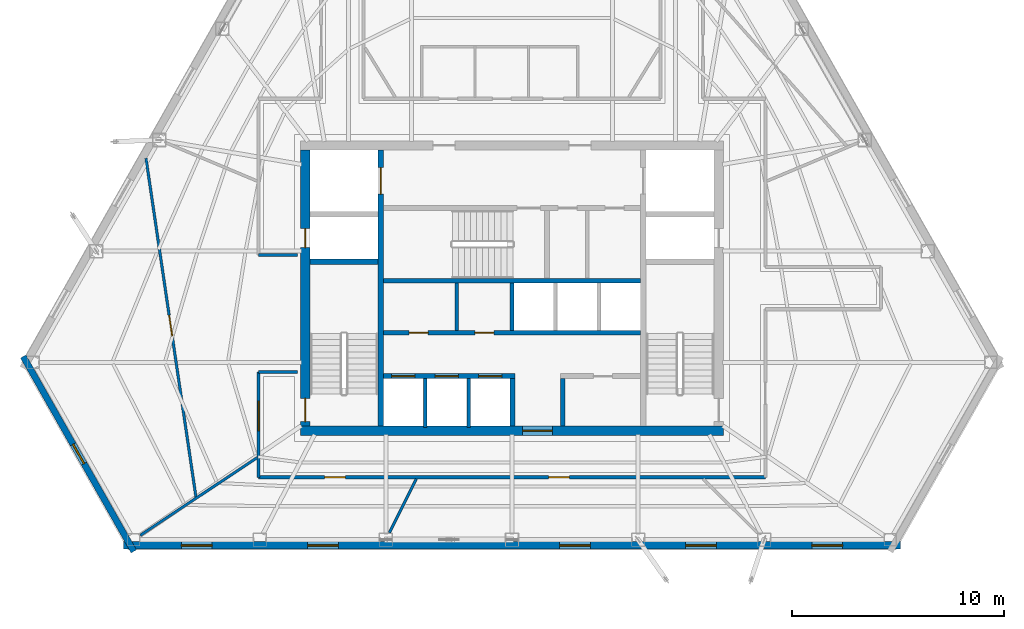
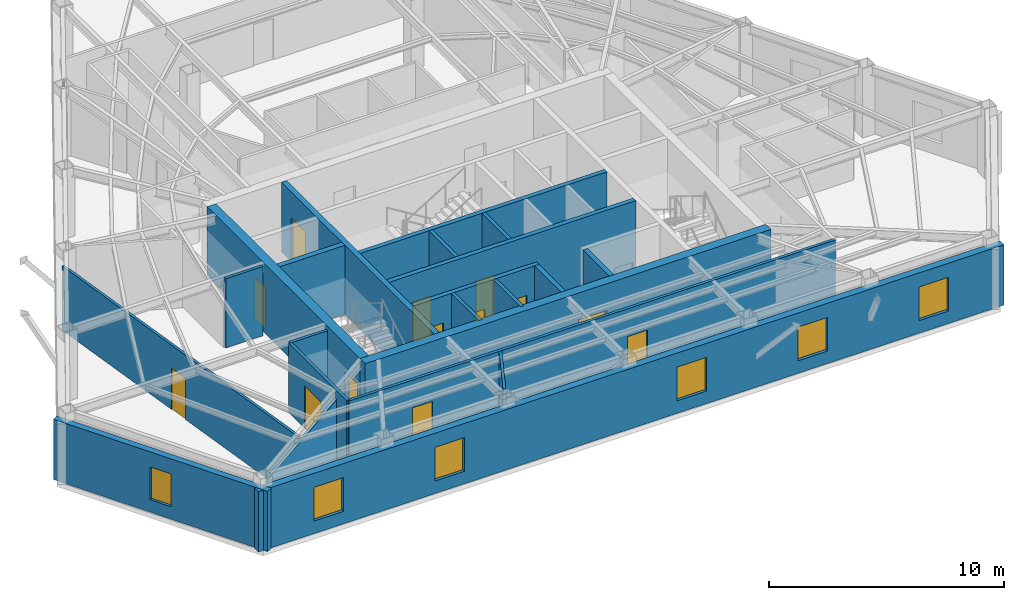
# One storey, part 7 of 11: 22 walls, 13 doors, 6 windows, 19 openings.
"""IFC4 building model written with IfcOpenShell, lengths in metres."""

from ifc_helpers import new_model, si_unit, direction, frame, frame_2d, origin, place, context, subcontext, project, spatial, rectangle, extrude, material, layer, layer_set, type_object, element, fill, save


model = new_model("IFC4")

# Units and contexts
model_context = context("Model", 3, precision=1e-05, world=origin(), true_north=direction((0.0, 1.0)))
body_context = subcontext(model_context, "Body", "Model", "MODEL_VIEW")
ifc_project = project(units=[si_unit("LENGTHUNIT", "METRE"), si_unit("AREAUNIT", "SQUARE_METRE"), si_unit("VOLUMEUNIT", "CUBIC_METRE"), si_unit("PLANEANGLEUNIT", "RADIAN"), si_unit("MASSUNIT", "GRAM", prefix="KILO")], contexts=[model_context])

# Site, building, storey
site_placement = place(None, origin())
site = spatial("IfcSite", under=ifc_project, at=site_placement, CompositionType="ELEMENT")
building_placement = place(site_placement, origin())
building = spatial("IfcBuilding", under=site, at=building_placement, Name="Kavelnor Concourse Tower", CompositionType="ELEMENT")
storey_placement = place(building_placement, frame((0.0, 0.0, 165.0)))
storey = spatial("IfcBuildingStorey", under=building, at=storey_placement, Name="L41", CompositionType="ELEMENT", Elevation=165.0)

# Wall, opening, door
ifc_material_1 = material(Name="Concrete C50/60", Category="concrete")
ifc_layer_1 = layer(ifc_material_1, 0.43994140625, Name="Concrete C50/60")
ifc_layer_set_1 = layer_set([ifc_layer_1], Name="Concrete C50/60")
wall_type_1 = type_object("IfcWallType", Name="WL-CORE-Z3-440", PredefinedType="SOLIDWALL", material=ifc_layer_set_1)
wall_1_placement = place(storey_placement, frame((28.0400390625, 9.3798828125, 0.0), z_axis=(0.0, 0.0, 1.0), x_axis=(1.0, 0.0, 0.0)))
wall_1 = element("IfcWall", 1, at=wall_1_placement, inside=storey, type_object=wall_type_1, Name="L41 Central Core South Shear Wall", PredefinedType="SOLIDWALL", context=body_context, shape_type="SweptSolid", body=[
    extrude(rectangle(XDim=19.919921875, YDim=0.43994140625, at=frame_2d((9.9599609375, 0.0))), origin(), (0.0, 0.0, 1.0), 3.60009765625),
])
opening_1_placement = place(wall_1_placement, frame((10.4599609375, 0.0, 0.0)))
opening_1 = element("IfcOpeningElement", 2, at=opening_1_placement, cuts=wall_1, Name="Opening SD-140", PredefinedType="OPENING", context=body_context, shape_type="SweptSolid", body=[
    extrude(rectangle(XDim=1.39990234375, YDim=2.199951171875, at=frame_2d((0.699951171875, 1.10009765625))), frame((0.0, 0.22998046875, 0.0), z_axis=(0.0, -1.0, 0.0), x_axis=(1.0, 0.0, 0.0)), (0.0, 0.0, 1.0), 0.4599609375),
])
ifc_material_2 = material(Name="Solid-core hardwood timber", Category="wood")
door_type_1 = type_object("IfcDoorType", Name="DR-SUITE-ENTRY-1400", OperationType="NOTDEFINED", PredefinedType="DOOR", material=ifc_material_2)
door_1_placement = place(opening_1_placement, origin())
door_1 = element("IfcDoor", 3, at=door_1_placement, inside=storey, type_object=door_type_1, Name="L41 Passenger Lift Lobby Entry Door", OperationType="SINGLE_SWING_RIGHT", OverallHeight=2.199951171875, OverallWidth=1.39990234375, PredefinedType="DOOR", context=body_context, shape_type="SweptSolid", body=[
    extrude(rectangle(XDim=1.39990234375, YDim=2.199951171875, at=frame_2d((0.699951171875, 1.10009765625))), frame((0.0, 0.02490234375, 0.0), z_axis=(0.0, -1.0, 0.0), x_axis=(1.0, 0.0, 0.0)), (0.0, 0.0, 1.0), 0.050048828125),
])
fill(opening_1, door_1)

# Wall, openings, doors
wall_2_placement = place(storey_placement, frame((28.260009765625, 9.60009765625, 0.0), z_axis=(0.0, 0.0, 1.0), x_axis=(0.0, 1.0, 0.0)))
wall_2 = element("IfcWall", 4, at=wall_2_placement, inside=storey, type_object=wall_type_1, Name="L41 Central Core West Shear Wall", PredefinedType="SOLIDWALL", context=body_context, shape_type="SweptSolid", body=[
    extrude(rectangle(XDim=13.0, YDim=0.43994140625, at=frame_2d((6.5, 0.0))), origin(), (0.0, 0.0, 1.0), 3.60009765625),
])
opening_2_placement = place(wall_2_placement, frame((0.199951171875, 0.0, 0.0)))
opening_2 = element("IfcOpeningElement", 5, at=opening_2_placement, cuts=wall_2, Name="Opening FD-110", PredefinedType="OPENING", context=body_context, shape_type="SweptSolid", body=[
    extrude(rectangle(XDim=1.10009765625, YDim=2.14990234375, at=frame_2d((0.550048828125, 1.074951171875))), frame((0.0, 0.22998046875, 0.0), z_axis=(0.0, -1.0, 0.0), x_axis=(1.0, 0.0, 0.0)), (0.0, 0.0, 1.0), 0.4599609375),
])
opening_3_placement = place(wall_2_placement, frame((8.39990234375, 0.0, 0.0)))
opening_3 = element("IfcOpeningElement", 6, at=opening_3_placement, cuts=wall_2, Name="Opening FD-090", PredefinedType="OPENING", context=body_context, shape_type="SweptSolid", body=[
    extrude(rectangle(XDim=0.89990234375, YDim=2.10009765625, at=frame_2d((0.449951171875, 1.050048828125))), frame((0.0, 0.22998046875, 0.0), z_axis=(0.0, -1.0, 0.0), x_axis=(1.0, 0.0, 0.0)), (0.0, 0.0, 1.0), 0.4599609375),
])
ifc_material_3 = material(Name="Steel Grade 350", Category="steel")
door_type_2 = type_object("IfcDoorType", Name="DR-RISER-FIRE-900", OperationType="NOTDEFINED", PredefinedType="DOOR", material=ifc_material_3)
door_2_placement = place(opening_3_placement, origin())
door_2 = element("IfcDoor", 7, at=door_2_placement, inside=storey, type_object=door_type_2, Name="L41 West Riser Access Door", OperationType="SINGLE_SWING_RIGHT", OverallHeight=2.10009765625, OverallWidth=0.89990234375, PredefinedType="DOOR", context=body_context, shape_type="SweptSolid", body=[
    extrude(rectangle(XDim=0.89990234375, YDim=2.10009765625, at=frame_2d((0.449951171875, 1.050048828125))), frame((0.0, 0.02490234375, 0.0), z_axis=(0.0, -1.0, 0.0), x_axis=(1.0, 0.0, 0.0)), (0.0, 0.0, 1.0), 0.050048828125),
])
fill(opening_3, door_2)
door_type_3 = type_object("IfcDoorType", Name="DR-STAIR-FIRE-1100", OperationType="NOTDEFINED", PredefinedType="DOOR", material=ifc_material_3)
door_3_placement = place(opening_2_placement, origin())
door_3 = element("IfcDoor", 8, at=door_3_placement, inside=storey, type_object=door_type_3, Name="L41 Stair ST1 Fire Door", OperationType="SINGLE_SWING_LEFT", OverallHeight=2.14990234375, OverallWidth=1.10009765625, PredefinedType="DOOR", context=body_context, shape_type="SweptSolid", body=[
    extrude(rectangle(XDim=1.10009765625, YDim=2.14990234375, at=frame_2d((0.550048828125, 1.074951171875))), frame((0.0, 0.02490234375, 0.0), z_axis=(0.0, -1.0, 0.0), x_axis=(1.0, 0.0, 0.0)), (0.0, 0.0, 1.0), 0.050048828125),
])
fill(opening_2, door_3)

# Wall, opening, window
ifc_material_4 = material(Name="Buff ironspot clay face brick masonry", Category="masonry")
ifc_layer_2 = layer(ifc_material_4, 0.300048828125, Name="Buff ironspot clay face brick masonry")
ifc_layer_set_2 = layer_set([ifc_layer_2], Name="Buff ironspot clay face brick masonry")
wall_type_2 = type_object("IfcWallType", Name="WL-EXT-BUFF-BRICK-FOLD-300", PredefinedType="STANDARD", material=ifc_layer_set_2)
wall_3_placement = place(storey_placement, frame((20.17578125, 3.68603515625, 0.0), z_axis=(0.0, 0.0, 1.0), x_axis=(-0.493371164069, 0.869818886013, 0.0)))
wall_3 = element("IfcWall", 9, at=wall_3_placement, inside=storey, type_object=wall_type_2, Name="L41 Exterior Brick Facade Wall E2", PredefinedType="STANDARD", context=body_context, shape_type="SweptSolid", body=[
    extrude(rectangle(XDim=10.5634765625, YDim=0.300048828125, at=frame_2d((5.28173828125, 0.0))), origin(), (0.0, 0.0, 1.0), 3.132080078125),
])
opening_4_placement = place(wall_3_placement, frame((4.756591796875, 0.0, 0.64990234375)))
opening_4 = element("IfcOpeningElement", 10, at=opening_4_placement, cuts=wall_3, Name="Opening W-06", PredefinedType="OPENING", context=body_context, shape_type="SweptSolid", body=[
    extrude(rectangle(XDim=1.050048828125, YDim=1.699951171875, at=frame_2d((0.52490234375, 0.85009765625))), frame((0.0, 0.16015625, 0.0), z_axis=(0.0, -1.0, 0.0), x_axis=(1.0, 0.0, 0.0)), (0.0, 0.0, 1.0), 0.320068359375),
])
ifc_material_5 = material(Name="Double low-E argon insulated glazing", Category="glass")
window_type_1 = type_object("IfcWindowType", Name="WIN-FOLD-1050", PartitioningType="SINGLE_PANEL", PredefinedType="WINDOW", material=ifc_material_5)
window_1_placement = place(opening_4_placement, origin())
window_1 = element("IfcWindow", 11, at=window_1_placement, inside=storey, type_object=window_type_1, Name="L41 Chamfer-Fold Facet Window C1", OverallHeight=1.699951171875, OverallWidth=1.050048828125, PartitioningType="SINGLE_PANEL", PredefinedType="WINDOW", context=body_context, shape_type="SweptSolid", body=[
    extrude(rectangle(XDim=1.050048828125, YDim=1.699951171875, at=frame_2d((0.52490234375, 0.85009765625))), frame((0.0, 0.030029296875, 0.0), z_axis=(0.0, -1.0, 0.0), x_axis=(1.0, 0.0, 0.0)), (0.0, 0.0, 1.0), 0.06005859375),
])
fill(opening_4, window_1)

# Wall, openings, windows
ifc_material_6 = material(Name="Red-ochre clay face brick masonry", Category="masonry")
ifc_layer_3 = layer(ifc_material_6, 0.35009765625, Name="Red-ochre clay face brick masonry")
ifc_layer_set_3 = layer_set([ifc_layer_3], Name="Red-ochre clay face brick masonry")
wall_type_3 = type_object("IfcWallType", Name="WL-EXT-RED-BRICK-PIER-350", PredefinedType="STANDARD", material=ifc_layer_set_3)
wall_4_placement = place(storey_placement, frame((56.305419921875, 3.966552734375, 0.0), z_axis=(0.0, 0.0, 1.0), x_axis=(-1.0, 0.0, 0.0)))
wall_4 = element("IfcWall", 12, at=wall_4_placement, inside=storey, type_object=wall_type_3, Name="L41 Exterior Brick Facade Wall E3", PredefinedType="STANDARD", context=body_context, shape_type="SweptSolid", body=[
    extrude(rectangle(XDim=36.61083984375, YDim=0.35009765625, at=frame_2d((18.305419921875, 0.0))), origin(), (0.0, 0.0, 1.0), 3.132080078125),
])
opening_5_placement = place(wall_4_placement, frame((32.435302734375, 0.0, 0.64990234375)))
opening_5 = element("IfcOpeningElement", 13, at=opening_5_placement, cuts=wall_4, Name="Opening W-03", PredefinedType="OPENING", context=body_context, shape_type="SweptSolid", body=[
    extrude(rectangle(XDim=1.449951171875, YDim=1.75, at=frame_2d((0.72509765625, 0.875))), frame((0.0, 0.18505859375, 0.0), z_axis=(0.0, -1.0, 0.0), x_axis=(1.0, 0.0, 0.0)), (0.0, 0.0, 1.0), 0.3701171875),
])
opening_6_placement = place(wall_4_placement, frame((26.493408203125, 0.0, 0.64990234375)))
opening_6 = element("IfcOpeningElement", 14, at=opening_6_placement, cuts=wall_4, Name="Opening W-03", PredefinedType="OPENING", context=body_context, shape_type="SweptSolid", body=[
    extrude(rectangle(XDim=1.449951171875, YDim=1.75, at=frame_2d((0.72509765625, 0.875))), frame((0.0, 0.18505859375, 0.0), z_axis=(0.0, -1.0, 0.0), x_axis=(1.0, 0.0, 0.0)), (0.0, 0.0, 1.0), 0.3701171875),
])
opening_7_placement = place(wall_4_placement, frame((14.609619140625, 0.0, 0.64990234375)))
opening_7 = element("IfcOpeningElement", 15, at=opening_7_placement, cuts=wall_4, Name="Opening W-03", PredefinedType="OPENING", context=body_context, shape_type="SweptSolid", body=[
    extrude(rectangle(XDim=1.449951171875, YDim=1.75, at=frame_2d((0.72509765625, 0.875))), frame((0.0, 0.18505859375, 0.0), z_axis=(0.0, -1.0, 0.0), x_axis=(1.0, 0.0, 0.0)), (0.0, 0.0, 1.0), 0.3701171875),
])
opening_8_placement = place(wall_4_placement, frame((8.66748046875, 0.0, 0.64990234375)))
opening_8 = element("IfcOpeningElement", 16, at=opening_8_placement, cuts=wall_4, Name="Opening W-03", PredefinedType="OPENING", context=body_context, shape_type="SweptSolid", body=[
    extrude(rectangle(XDim=1.449951171875, YDim=1.75, at=frame_2d((0.72509765625, 0.875))), frame((0.0, 0.18505859375, 0.0), z_axis=(0.0, -1.0, 0.0), x_axis=(1.0, 0.0, 0.0)), (0.0, 0.0, 1.0), 0.3701171875),
])
opening_9_placement = place(wall_4_placement, frame((2.7255859375, 0.0, 0.64990234375)))
opening_9 = element("IfcOpeningElement", 17, at=opening_9_placement, cuts=wall_4, Name="Opening W-03", PredefinedType="OPENING", context=body_context, shape_type="SweptSolid", body=[
    extrude(rectangle(XDim=1.449951171875, YDim=1.75, at=frame_2d((0.72509765625, 0.875))), frame((0.0, 0.18505859375, 0.0), z_axis=(0.0, -1.0, 0.0), x_axis=(1.0, 0.0, 0.0)), (0.0, 0.0, 1.0), 0.3701171875),
])
window_type_2 = type_object("IfcWindowType", Name="WIN-PIER-Z3-1500", PartitioningType="SINGLE_PANEL", PredefinedType="WINDOW", material=ifc_material_5)
window_2_placement = place(opening_5_placement, origin())
window_2 = element("IfcWindow", 18, at=window_2_placement, inside=storey, type_object=window_type_2, Name="L41 Deep-Set Brick Pier Window F1-B0", OverallHeight=1.75, OverallWidth=1.449951171875, PartitioningType="SINGLE_PANEL", PredefinedType="WINDOW", context=body_context, shape_type="SweptSolid", body=[
    extrude(rectangle(XDim=1.449951171875, YDim=1.75, at=frame_2d((0.72509765625, 0.875))), frame((0.0, 0.030029296875, 0.0), z_axis=(0.0, -1.0, 0.0), x_axis=(1.0, 0.0, 0.0)), (0.0, 0.0, 1.0), 0.06005859375),
])
fill(opening_5, window_2)
window_3_placement = place(opening_6_placement, origin())
window_3 = element("IfcWindow", 19, at=window_3_placement, inside=storey, type_object=window_type_2, Name="L41 Deep-Set Brick Pier Window F1-B1", OverallHeight=1.75, OverallWidth=1.449951171875, PartitioningType="SINGLE_PANEL", PredefinedType="WINDOW", context=body_context, shape_type="SweptSolid", body=[
    extrude(rectangle(XDim=1.449951171875, YDim=1.75, at=frame_2d((0.72509765625, 0.875))), frame((0.0, 0.030029296875, 0.0), z_axis=(0.0, -1.0, 0.0), x_axis=(1.0, 0.0, 0.0)), (0.0, 0.0, 1.0), 0.06005859375),
])
fill(opening_6, window_3)
window_4_placement = place(opening_7_placement, origin())
window_4 = element("IfcWindow", 20, at=window_4_placement, inside=storey, type_object=window_type_2, Name="L41 Deep-Set Brick Pier Window F1-B3", OverallHeight=1.75, OverallWidth=1.449951171875, PartitioningType="SINGLE_PANEL", PredefinedType="WINDOW", context=body_context, shape_type="SweptSolid", body=[
    extrude(rectangle(XDim=1.449951171875, YDim=1.75, at=frame_2d((0.72509765625, 0.875))), frame((0.0, 0.030029296875, 0.0), z_axis=(0.0, -1.0, 0.0), x_axis=(1.0, 0.0, 0.0)), (0.0, 0.0, 1.0), 0.06005859375),
])
fill(opening_7, window_4)
window_5_placement = place(opening_8_placement, origin())
window_5 = element("IfcWindow", 21, at=window_5_placement, inside=storey, type_object=window_type_2, Name="L41 Deep-Set Brick Pier Window F1-B4", OverallHeight=1.75, OverallWidth=1.449951171875, PartitioningType="SINGLE_PANEL", PredefinedType="WINDOW", context=body_context, shape_type="SweptSolid", body=[
    extrude(rectangle(XDim=1.449951171875, YDim=1.75, at=frame_2d((0.72509765625, 0.875))), frame((0.0, 0.030029296875, 0.0), z_axis=(0.0, -1.0, 0.0), x_axis=(1.0, 0.0, 0.0)), (0.0, 0.0, 1.0), 0.06005859375),
])
fill(opening_8, window_5)
window_6_placement = place(opening_9_placement, origin())
window_6 = element("IfcWindow", 22, at=window_6_placement, inside=storey, type_object=window_type_2, Name="L41 Deep-Set Brick Pier Window F1-B5", OverallHeight=1.75, OverallWidth=1.449951171875, PartitioningType="SINGLE_PANEL", PredefinedType="WINDOW", context=body_context, shape_type="SweptSolid", body=[
    extrude(rectangle(XDim=1.449951171875, YDim=1.75, at=frame_2d((0.72509765625, 0.875))), frame((0.0, 0.030029296875, 0.0), z_axis=(0.0, -1.0, 0.0), x_axis=(1.0, 0.0, 0.0)), (0.0, 0.0, 1.0), 0.06005859375),
])
fill(opening_9, window_6)

# Wall
ifc_material_7 = material(Name="Gypsum plasterboard on light-gauge steel studs", Category="steel")
ifc_layer_4 = layer(ifc_material_7, 0.14501953125, Name="Gypsum plasterboard on light-gauge steel studs")
ifc_layer_set_4 = layer_set([ifc_layer_4], Name="Gypsum plasterboard on light-gauge steel studs")
wall_type_4 = type_object("IfcWallType", Name="WL-INT-CORR-145", PredefinedType="PARTITIONING", material=ifc_layer_set_4)
wall_5_placement = place(storey_placement, frame((27.8798828125, 17.64990234375, 0.0), z_axis=(0.0, 0.0, 1.0), x_axis=(-1.0, 0.0, 0.0)))
element("IfcWall", 23, at=wall_5_placement, inside=storey, type_object=wall_type_4, Name="L41 Corridor Wall WL-L41-CR-01", PredefinedType="PARTITIONING", context=body_context, shape_type="SweptSolid", body=[
    extrude(rectangle(XDim=1.81982421875, YDim=0.14501953125, at=frame_2d((0.909912109375, 0.0))), origin(), (0.0, 0.0, 1.0), 3.60009765625),
])

# Wall, openings, doors
wall_6_placement = place(storey_placement, frame((49.93994140625, 7.179931640625, 0.0), z_axis=(0.0, 0.0, 1.0), x_axis=(-1.0, 0.0, 0.0)))
wall_6 = element("IfcWall", 24, at=wall_6_placement, inside=storey, type_object=wall_type_4, Name="L41 Corridor Wall WL-L41-CR-17", PredefinedType="PARTITIONING", context=body_context, shape_type="SweptSolid", body=[
    extrude(rectangle(XDim=23.8798828125, YDim=0.14501953125, at=frame_2d((11.93994140625, 0.0))), origin(), (0.0, 0.0, 1.0), 3.60009765625),
])
opening_10_placement = place(wall_6_placement, frame((19.789306640625, 0.0, 0.0)))
opening_10 = element("IfcOpeningElement", 25, at=opening_10_placement, cuts=wall_6, Name="Opening OD-098", PredefinedType="OPENING", context=body_context, shape_type="SweptSolid", body=[
    extrude(rectangle(XDim=0.97998046875, YDim=2.14990234375, at=frame_2d((0.489990234375, 1.074951171875))), frame((0.0, 0.08251953125, 0.0), z_axis=(0.0, -1.0, 0.0), x_axis=(1.0, 0.0, 0.0)), (0.0, 0.0, 1.0), 0.1650390625),
])
opening_11_placement = place(wall_6_placement, frame((9.236083984375, 0.0, 0.0)))
opening_11 = element("IfcOpeningElement", 26, at=opening_11_placement, cuts=wall_6, Name="Opening OD-098", PredefinedType="OPENING", context=body_context, shape_type="SweptSolid", body=[
    extrude(rectangle(XDim=0.97998046875, YDim=2.14990234375, at=frame_2d((0.489990234375, 1.074951171875))), frame((0.0, 0.08251953125, 0.0), z_axis=(0.0, -1.0, 0.0), x_axis=(1.0, 0.0, 0.0)), (0.0, 0.0, 1.0), 0.1650390625),
])
door_type_4 = type_object("IfcDoorType", Name="DR-OFFICE-980", OperationType="NOTDEFINED", PredefinedType="DOOR", material=ifc_material_2)
door_4_placement = place(opening_10_placement, origin())
door_4 = element("IfcDoor", 27, at=door_4_placement, inside=storey, type_object=door_type_4, Name="L41 Staff Breakout Pantry 08 Door", OperationType="SINGLE_SWING_RIGHT", OverallHeight=2.14990234375, OverallWidth=0.97998046875, PredefinedType="DOOR", context=body_context, shape_type="SweptSolid", body=[
    extrude(rectangle(XDim=0.97998046875, YDim=2.14990234375, at=frame_2d((0.489990234375, 1.074951171875))), frame((0.0, 0.02490234375, 0.0), z_axis=(0.0, -1.0, 0.0), x_axis=(1.0, 0.0, 0.0)), (0.0, 0.0, 1.0), 0.050048828125),
])
fill(opening_10, door_4)
door_5_placement = place(opening_11_placement, origin())
door_5 = element("IfcDoor", 28, at=door_5_placement, inside=storey, type_object=door_type_4, Name="L41 Architectural Design Studio 09 Door", OperationType="SINGLE_SWING_LEFT", OverallHeight=2.14990234375, OverallWidth=0.97998046875, PredefinedType="DOOR", context=body_context, shape_type="SweptSolid", body=[
    extrude(rectangle(XDim=0.97998046875, YDim=2.14990234375, at=frame_2d((0.489990234375, 1.074951171875))), frame((0.0, 0.02490234375, 0.0), z_axis=(0.0, -1.0, 0.0), x_axis=(1.0, 0.0, 0.0)), (0.0, 0.0, 1.0), 0.050048828125),
])
fill(opening_11, door_5)

# Wall, opening, door
wall_7_placement = place(storey_placement, frame((26.06005859375, 7.179931640625, 0.0), z_axis=(0.0, 0.0, 1.0), x_axis=(0.0, 1.0, 0.0)))
wall_7 = element("IfcWall", 29, at=wall_7_placement, inside=storey, type_object=wall_type_4, Name="L41 Corridor Wall WL-L41-CR-18", PredefinedType="PARTITIONING", context=body_context, shape_type="SweptSolid", body=[
    extrude(rectangle(XDim=4.969970703125, YDim=0.14501953125, at=frame_2d((2.48486328125, 0.0))), origin(), (0.0, 0.0, 1.0), 3.60009765625),
])
opening_12_placement = place(wall_7_placement, frame((2.1845703125, 0.0, 0.0)))
opening_12 = element("IfcOpeningElement", 30, at=opening_12_placement, cuts=wall_7, Name="Opening SD-140", PredefinedType="OPENING", context=body_context, shape_type="SweptSolid", body=[
    extrude(rectangle(XDim=1.39990234375, YDim=2.199951171875, at=frame_2d((0.699951171875, 1.10009765625))), frame((0.0, 0.08251953125, 0.0), z_axis=(0.0, -1.0, 0.0), x_axis=(1.0, 0.0, 0.0)), (0.0, 0.0, 1.0), 0.1650390625),
])
door_6_placement = place(opening_12_placement, origin())
door_6 = element("IfcDoor", 31, at=door_6_placement, inside=storey, type_object=door_type_1, Name="L41 Architectural Design Studio 06 Door", OperationType="SINGLE_SWING_RIGHT", OverallHeight=2.199951171875, OverallWidth=1.39990234375, PredefinedType="DOOR", context=body_context, shape_type="SweptSolid", body=[
    extrude(rectangle(XDim=1.39990234375, YDim=2.199951171875, at=frame_2d((0.699951171875, 1.10009765625))), frame((0.0, 0.02490234375, 0.0), z_axis=(0.0, -1.0, 0.0), x_axis=(1.0, 0.0, 0.0)), (0.0, 0.0, 1.0), 0.050048828125),
])
fill(opening_12, door_6)

# Walls
wall_8_placement = place(storey_placement, frame((26.06005859375, 12.14990234375, 0.0), z_axis=(0.0, 0.0, 1.0), x_axis=(1.0, 0.0, 0.0)))
element("IfcWall", 32, at=wall_8_placement, inside=storey, type_object=wall_type_4, Name="L41 Corridor Wall WL-L41-CR-19", PredefinedType="PARTITIONING", context=body_context, shape_type="SweptSolid", body=[
    extrude(rectangle(XDim=1.81982421875, YDim=0.14501953125, at=frame_2d((0.909912109375, 0.0))), origin(), (0.0, 0.0, 1.0), 3.60009765625),
])
ifc_layer_5 = layer(ifc_material_7, 0.1650390625, Name="Gypsum plasterboard on light-gauge steel studs")
ifc_layer_set_5 = layer_set([ifc_layer_5], Name="Gypsum plasterboard on light-gauge steel studs")
wall_type_5 = type_object("IfcWallType", Name="WL-INT-FIRE-165", PredefinedType="PARTITIONING", material=ifc_layer_set_5)
for number, where, z_axis, x_axis, name in (
    (33, (33.89990234375, 9.52001953125, 0.0), (0.0, 0.0, 1.0), (0.0, 1.0, 0.0), "L41 Lift Shaft Divider LP7"),
    (34, (35.949951171875, 9.52001953125, 0.0), (0.0, 0.0, 1.0), (0.0, 1.0, 0.0), "L41 Lift Shaft Divider LP8"),
):
    element("IfcWall", number, at=place(storey_placement, frame(where, z_axis=z_axis, x_axis=x_axis)), inside=storey, type_object=wall_type_5, Name=name, PredefinedType="PARTITIONING", context=body_context, shape_type="SweptSolid", body=[
        extrude(rectangle(XDim=2.320068359375, YDim=0.1650390625, at=frame_2d((1.16015625, 0.0))), origin(), (0.0, 0.0, 1.0), 3.60009765625),
    ])
for number, where, z_axis, x_axis, name in (
    (35, (38.0, 14.10009765625, 0.0), (0.0, 0.0, 1.0), (0.0, 1.0, 0.0), "L41 Reclaimed Core Zone Partition"),
    (36, (35.39990234375, 14.10009765625, 0.0), (0.0, 0.0, 1.0), (0.0, 1.0, 0.0), "L41 Reclaimed Core Split Wall"),
):
    element("IfcWall", number, at=place(storey_placement, frame(where, z_axis=z_axis, x_axis=x_axis)), inside=storey, type_object=wall_type_5, Name=name, PredefinedType="PARTITIONING", context=body_context, shape_type="SweptSolid", body=[
        extrude(rectangle(XDim=2.239990234375, YDim=0.1650390625, at=frame_2d((1.1201171875, 0.0))), origin(), (0.0, 0.0, 1.0), 3.60009765625),
    ])
ifc_layer_6 = layer(ifc_material_7, 0.125, Name="Gypsum plasterboard on light-gauge steel studs")
ifc_layer_set_6 = layer_set([ifc_layer_6], Name="Gypsum plasterboard on light-gauge steel studs")
wall_type_6 = type_object("IfcWallType", Name="WL-INT-SUITE-125", PredefinedType="PARTITIONING", material=ifc_layer_set_6)
wall_9_placement = place(storey_placement, frame((25.9794921875, 8.10009765625, 0.0), z_axis=(0.0, 0.0, 1.0), x_axis=(-0.832482321267, -0.554051608407, 0.0)))
element("IfcWall", 37, at=wall_9_placement, inside=storey, type_object=wall_type_6, Name="L41 Radial Suite Partition 05", PredefinedType="PARTITIONING", context=body_context, shape_type="SweptSolid", body=[
    extrude(rectangle(XDim=6.603515625, YDim=0.125, at=frame_2d((3.3017578125, 0.0))), origin(), (0.0, 0.0, 1.0), 3.14111328125),
])
wall_10_placement = place(storey_placement, frame((33.491943359375, 7.099609375, 0.0), z_axis=(0.0, 0.0, 1.0), x_axis=(-0.447764605511, -0.894151473774, 0.0)))
element("IfcWall", 38, at=wall_10_placement, inside=storey, type_object=wall_type_6, Name="L41 Radial Suite Partition 06", PredefinedType="PARTITIONING", context=body_context, shape_type="SweptSolid", body=[
    extrude(rectangle(XDim=2.835205078125, YDim=0.125, at=frame_2d((1.41748046875, 0.0))), origin(), (0.0, 0.0, 1.0), 3.60009765625),
])

# Wall, opening, door
wall_11_placement = place(storey_placement, frame((20.749755859375, 22.215087890625, 0.0), z_axis=(0.0, 0.0, 1.0), x_axis=(0.145949252276, -0.989292078084, 0.0)))
wall_11 = element("IfcWall", 39, at=wall_11_placement, inside=storey, type_object=wall_type_6, Name="L41 Suite Subdivision Partition 04", PredefinedType="PARTITIONING", context=body_context, shape_type="SweptSolid", body=[
    extrude(rectangle(XDim=16.17919921875, YDim=0.125, at=frame_2d((8.089599609375, 0.0))), origin(), (0.0, 0.0, 1.0), 3.339111328125),
])
opening_13_placement = place(wall_11_placement, frame((7.48486328125, 0.0, 0.0)))
opening_13 = element("IfcOpeningElement", 40, at=opening_13_placement, cuts=wall_11, Name="Opening OD-098", PredefinedType="OPENING", context=body_context, shape_type="SweptSolid", body=[
    extrude(rectangle(XDim=0.97998046875, YDim=2.14990234375, at=frame_2d((0.489990234375, 1.074951171875))), frame((0.0, 0.072509765625, 0.0), z_axis=(0.0, -1.0, 0.0), x_axis=(1.0, 0.0, 0.0)), (0.0, 0.0, 1.0), 0.14501953125),
])
door_7_placement = place(opening_13_placement, origin())
door_7 = element("IfcDoor", 41, at=door_7_placement, inside=storey, type_object=door_type_4, Name="L41 Architectural Design Studio 07 Door", OperationType="SINGLE_SWING_LEFT", OverallHeight=2.14990234375, OverallWidth=0.97998046875, PredefinedType="DOOR", context=body_context, shape_type="SweptSolid", body=[
    extrude(rectangle(XDim=0.97998046875, YDim=2.14990234375, at=frame_2d((0.489990234375, 1.074951171875))), frame((0.0, 0.02490234375, 0.0), z_axis=(0.0, -1.0, 0.0), x_axis=(1.0, 0.0, 0.0)), (0.0, 0.0, 1.0), 0.050048828125),
])
fill(opening_13, door_7)

# Wall
ifc_layer_7 = layer(ifc_material_1, 0.219970703125, Name="Concrete C50/60")
ifc_layer_set_7 = layer_set([ifc_layer_7], Name="Concrete C50/60")
wall_type_7 = type_object("IfcWallType", Name="WL-SHAFT-220", PredefinedType="SOLIDWALL", material=ifc_layer_set_7)
wall_12_placement = place(storey_placement, frame((31.93994140625, 16.449951171875, 0.0), z_axis=(0.0, 0.0, 1.0), x_axis=(1.0, 0.0, 0.0)))
element("IfcWall", 42, at=wall_12_placement, inside=storey, type_object=wall_type_7, Name="L41 Stair ST3 South Core Wall", PredefinedType="SOLIDWALL", context=body_context, shape_type="SweptSolid", body=[
    extrude(rectangle(XDim=12.1201171875, YDim=0.219970703125, at=frame_2d((6.06005859375, 0.0))), origin(), (0.0, 0.0, 1.0), 3.60009765625),
])

# Wall, openings, doors
wall_13_placement = place(storey_placement, frame((31.93994140625, 13.989990234375, 0.0), z_axis=(0.0, 0.0, 1.0), x_axis=(1.0, 0.0, 0.0)))
wall_13 = element("IfcWall", 43, at=wall_13_placement, inside=storey, type_object=wall_type_7, Name="L41 North Lift Row Shaft Wall", PredefinedType="SOLIDWALL", context=body_context, shape_type="SweptSolid", body=[
    extrude(rectangle(XDim=12.1201171875, YDim=0.219970703125, at=frame_2d((6.06005859375, 0.0))), origin(), (0.0, 0.0, 1.0), 3.60009765625),
])
opening_14_placement = place(wall_13_placement, frame((1.2099609375, 0.0, 0.0)))
opening_14 = element("IfcOpeningElement", 44, at=opening_14_placement, cuts=wall_13, Name="Opening FD-090", PredefinedType="OPENING", context=body_context, shape_type="SweptSolid", body=[
    extrude(rectangle(XDim=0.89990234375, YDim=2.10009765625, at=frame_2d((0.449951171875, 1.050048828125))), frame((0.0, 0.1201171875, 0.0), z_axis=(0.0, -1.0, 0.0), x_axis=(1.0, 0.0, 0.0)), (0.0, 0.0, 1.0), 0.239990234375),
])
opening_15_placement = place(wall_13_placement, frame((4.31005859375, 0.0, 0.0)))
opening_15 = element("IfcOpeningElement", 45, at=opening_15_placement, cuts=wall_13, Name="Opening FD-090", PredefinedType="OPENING", context=body_context, shape_type="SweptSolid", body=[
    extrude(rectangle(XDim=0.89990234375, YDim=2.10009765625, at=frame_2d((0.449951171875, 1.050048828125))), frame((0.0, 0.1201171875, 0.0), z_axis=(0.0, -1.0, 0.0), x_axis=(1.0, 0.0, 0.0)), (0.0, 0.0, 1.0), 0.239990234375),
])
door_8_placement = place(opening_14_placement, origin())
door_8 = element("IfcDoor", 46, at=door_8_placement, inside=storey, type_object=door_type_2, Name="L41 Core Tea Pantry Door", OperationType="SINGLE_SWING_RIGHT", OverallHeight=2.10009765625, OverallWidth=0.89990234375, PredefinedType="DOOR", context=body_context, shape_type="SweptSolid", body=[
    extrude(rectangle(XDim=0.89990234375, YDim=2.10009765625, at=frame_2d((0.449951171875, 1.050048828125))), frame((0.0, 0.02490234375, 0.0), z_axis=(0.0, -1.0, 0.0), x_axis=(1.0, 0.0, 0.0)), (0.0, 0.0, 1.0), 0.050048828125),
])
fill(opening_14, door_8)
door_9_placement = place(opening_15_placement, origin())
door_9 = element("IfcDoor", 47, at=door_9_placement, inside=storey, type_object=door_type_2, Name="L41 Archive Store Door", OperationType="SINGLE_SWING_LEFT", OverallHeight=2.10009765625, OverallWidth=0.89990234375, PredefinedType="DOOR", context=body_context, shape_type="SweptSolid", body=[
    extrude(rectangle(XDim=0.89990234375, YDim=2.10009765625, at=frame_2d((0.449951171875, 1.050048828125))), frame((0.0, 0.02490234375, 0.0), z_axis=(0.0, -1.0, 0.0), x_axis=(1.0, 0.0, 0.0)), (0.0, 0.0, 1.0), 0.050048828125),
])
fill(opening_15, door_9)

wall_14_placement = place(storey_placement, frame((31.93994140625, 11.949951171875, 0.0), z_axis=(0.0, 0.0, 1.0), x_axis=(1.0, 0.0, 0.0)))
wall_14 = element("IfcWall", 48, at=wall_14_placement, inside=storey, type_object=wall_type_7, Name="L41 High-Rise Lift Bank North Wall", PredefinedType="SOLIDWALL", context=body_context, shape_type="SweptSolid", body=[
    extrude(rectangle(XDim=6.18994140625, YDim=0.219970703125, at=frame_2d((3.094970703125, 0.0))), origin(), (0.0, 0.0, 1.0), 3.60009765625),
])
opening_16_placement = place(wall_14_placement, frame((0.385009765625, 0.0, 0.0)))
opening_16 = element("IfcOpeningElement", 49, at=opening_16_placement, cuts=wall_14, Name="Opening LD-110", PredefinedType="OPENING", context=body_context, shape_type="SweptSolid", body=[
    extrude(rectangle(XDim=1.10009765625, YDim=2.199951171875, at=frame_2d((0.550048828125, 1.10009765625))), frame((0.0, 0.1201171875, 0.0), z_axis=(0.0, -1.0, 0.0), x_axis=(1.0, 0.0, 0.0)), (0.0, 0.0, 1.0), 0.239990234375),
])
opening_17_placement = place(wall_14_placement, frame((2.43505859375, 0.0, 0.0)))
opening_17 = element("IfcOpeningElement", 50, at=opening_17_placement, cuts=wall_14, Name="Opening LD-110", PredefinedType="OPENING", context=body_context, shape_type="SweptSolid", body=[
    extrude(rectangle(XDim=1.10009765625, YDim=2.199951171875, at=frame_2d((0.550048828125, 1.10009765625))), frame((0.0, 0.1201171875, 0.0), z_axis=(0.0, -1.0, 0.0), x_axis=(1.0, 0.0, 0.0)), (0.0, 0.0, 1.0), 0.239990234375),
])
opening_18_placement = place(wall_14_placement, frame((4.485107421875, 0.0, 0.0)))
opening_18 = element("IfcOpeningElement", 51, at=opening_18_placement, cuts=wall_14, Name="Opening LD-110", PredefinedType="OPENING", context=body_context, shape_type="SweptSolid", body=[
    extrude(rectangle(XDim=1.10009765625, YDim=2.199951171875, at=frame_2d((0.550048828125, 1.10009765625))), frame((0.0, 0.1201171875, 0.0), z_axis=(0.0, -1.0, 0.0), x_axis=(1.0, 0.0, 0.0)), (0.0, 0.0, 1.0), 0.239990234375),
])
door_type_5 = type_object("IfcDoorType", Name="DR-LIFT-SLIDING-1100", OperationType="NOTDEFINED", PredefinedType="DOOR", material=ifc_material_3)
door_10_placement = place(opening_16_placement, origin())
door_10 = element("IfcDoor", 52, at=door_10_placement, inside=storey, type_object=door_type_5, Name="L41 Lift LP7 Landing Door", OperationType="DOUBLE_DOOR_SLIDING", OverallHeight=2.199951171875, OverallWidth=1.10009765625, PredefinedType="DOOR", context=body_context, shape_type="SweptSolid", body=[
    extrude(rectangle(XDim=1.10009765625, YDim=2.199951171875, at=frame_2d((0.550048828125, 1.10009765625))), frame((0.0, 0.02490234375, 0.0), z_axis=(0.0, -1.0, 0.0), x_axis=(1.0, 0.0, 0.0)), (0.0, 0.0, 1.0), 0.050048828125),
])
fill(opening_16, door_10)
door_11_placement = place(opening_17_placement, origin())
door_11 = element("IfcDoor", 53, at=door_11_placement, inside=storey, type_object=door_type_5, Name="L41 Lift LP8 Landing Door", OperationType="DOUBLE_DOOR_SLIDING", OverallHeight=2.199951171875, OverallWidth=1.10009765625, PredefinedType="DOOR", context=body_context, shape_type="SweptSolid", body=[
    extrude(rectangle(XDim=1.10009765625, YDim=2.199951171875, at=frame_2d((0.550048828125, 1.10009765625))), frame((0.0, 0.02490234375, 0.0), z_axis=(0.0, -1.0, 0.0), x_axis=(1.0, 0.0, 0.0)), (0.0, 0.0, 1.0), 0.050048828125),
])
fill(opening_17, door_11)
door_12_placement = place(opening_18_placement, origin())
door_12 = element("IfcDoor", 54, at=door_12_placement, inside=storey, type_object=door_type_5, Name="L41 Lift LP9 Landing Door", OperationType="DOUBLE_DOOR_SLIDING", OverallHeight=2.199951171875, OverallWidth=1.10009765625, PredefinedType="DOOR", context=body_context, shape_type="SweptSolid", body=[
    extrude(rectangle(XDim=1.10009765625, YDim=2.199951171875, at=frame_2d((0.550048828125, 1.10009765625))), frame((0.0, 0.02490234375, 0.0), z_axis=(0.0, -1.0, 0.0), x_axis=(1.0, 0.0, 0.0)), (0.0, 0.0, 1.0), 0.050048828125),
])
fill(opening_18, door_12)

# Walls
for number, where, z_axis, x_axis, name in (
    (55, (38.02001953125, 9.60009765625, 0.0), (0.0, 0.0, 1.0), (0.0, 1.0, 0.0), "L41 Lift Lobby Throat West Wall"),
    (56, (40.389892578125, 9.60009765625, 0.0), (0.0, 0.0, 1.0), (0.0, 1.0, 0.0), "L41 Lift Lobby Throat East Wall"),
):
    element("IfcWall", number, at=place(storey_placement, frame(where, z_axis=z_axis, x_axis=x_axis)), inside=storey, type_object=wall_type_7, Name=name, PredefinedType="SOLIDWALL", context=body_context, shape_type="SweptSolid", body=[
        extrude(rectangle(XDim=2.239990234375, YDim=0.219970703125, at=frame_2d((1.1201171875, 0.0))), origin(), (0.0, 0.0, 1.0), 3.60009765625),
    ])

# Wall, opening, door
ifc_layer_8 = layer(ifc_material_1, 0.260009765625, Name="Concrete C50/60")
ifc_layer_set_8 = layer_set([ifc_layer_8], Name="Concrete C50/60")
wall_type_8 = type_object("IfcWallType", Name="WL-SHAFT-260", PredefinedType="SHEAR", material=ifc_layer_set_8)
wall_15_placement = place(storey_placement, frame((31.81005859375, 9.60009765625, 0.0), z_axis=(0.0, 0.0, 1.0), x_axis=(0.0, 1.0, 0.0)))
wall_15 = element("IfcWall", 57, at=wall_15_placement, inside=storey, type_object=wall_type_8, Name="L41 Core West Wing Shear Wall", PredefinedType="SHEAR", context=body_context, shape_type="SweptSolid", body=[
    extrude(rectangle(XDim=13.0, YDim=0.260009765625, at=frame_2d((6.5, 0.0))), origin(), (0.0, 0.0, 1.0), 3.60009765625),
])
opening_19_placement = place(wall_15_placement, frame((10.925048828125, 0.0, 0.0)))
opening_19 = element("IfcOpeningElement", 58, at=opening_19_placement, cuts=wall_15, Name="Opening LD-125", PredefinedType="OPENING", context=body_context, shape_type="SweptSolid", body=[
    extrude(rectangle(XDim=1.25, YDim=2.25, at=frame_2d((0.625, 1.125))), frame((0.0, 0.14013671875, 0.0), z_axis=(0.0, -1.0, 0.0), x_axis=(1.0, 0.0, 0.0)), (0.0, 0.0, 1.0), 0.280029296875),
])
door_type_6 = type_object("IfcDoorType", Name="DR-LIFT-SLIDING-1250", OperationType="NOTDEFINED", PredefinedType="DOOR", material=ifc_material_3)
door_13_placement = place(opening_19_placement, origin())
door_13 = element("IfcDoor", 59, at=door_13_placement, inside=storey, type_object=door_type_6, Name="L41 Emergency Lift FL1 Landing Door", OperationType="DOUBLE_DOOR_SLIDING", OverallHeight=2.25, OverallWidth=1.25, PredefinedType="DOOR", context=body_context, shape_type="SweptSolid", body=[
    extrude(rectangle(XDim=1.25, YDim=2.25, at=frame_2d((0.625, 1.125))), frame((0.0, 0.02490234375, 0.0), z_axis=(0.0, -1.0, 0.0), x_axis=(1.0, 0.0, 0.0)), (0.0, 0.0, 1.0), 0.050048828125),
])
fill(opening_19, door_13)

# Wall
wall_16_placement = place(storey_placement, frame((28.47998046875, 17.330078125, 0.0), z_axis=(0.0, 0.0, 1.0), x_axis=(1.0, 0.0, 0.0)))
element("IfcWall", 60, at=wall_16_placement, inside=storey, type_object=wall_type_8, Name="L41 Stair ST1 North Shaft Wall", PredefinedType="SHEAR", context=body_context, shape_type="SweptSolid", body=[
    extrude(rectangle(XDim=3.199951171875, YDim=0.260009765625, at=frame_2d((1.60009765625, 0.0))), origin(), (0.0, 0.0, 1.0), 3.60009765625),
])

save(model, "model.ifc")
